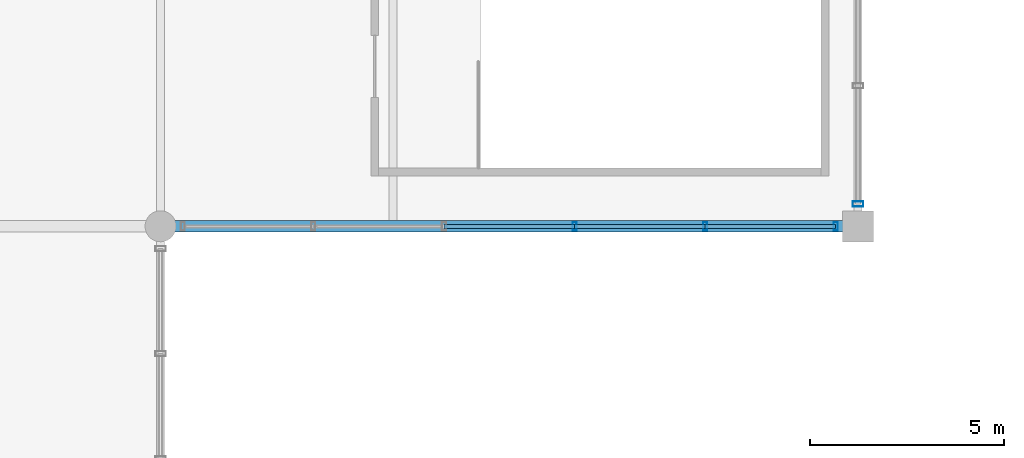
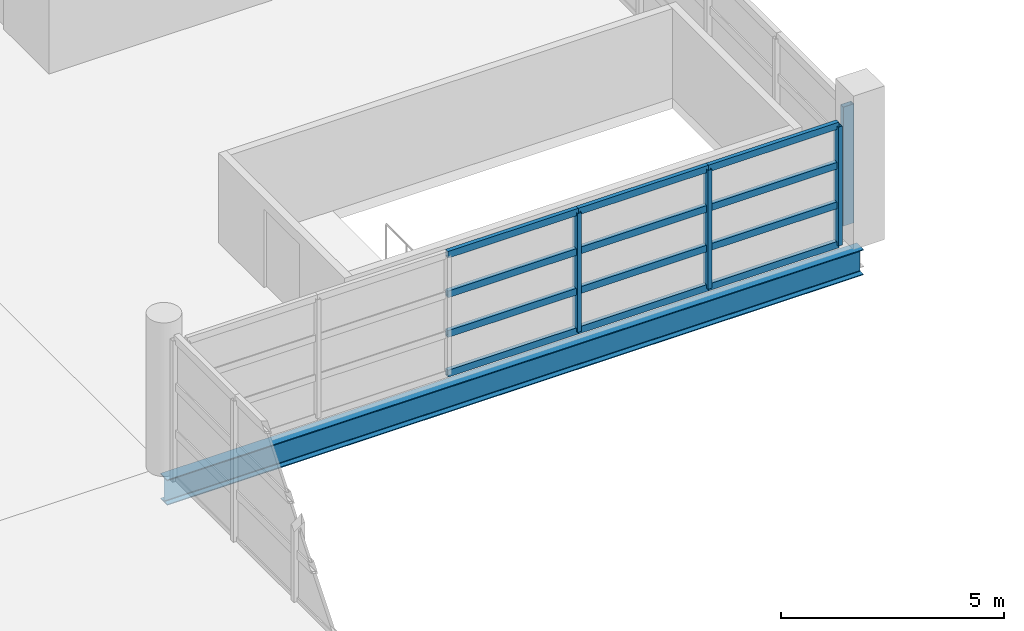
# One storey, part 22 of 136: 16 members, 1 beam, 2 elements without a shape of their own.
"""IFC4 building model written with IfcOpenShell, lengths in metres."""

from ifc_helpers import new_model, si_unit, direction, frame, origin, origin_2d, place, context, subcontext, project, spatial, hollow_rectangle, i_section, extrude, material, material_profile, profile_set, type_object, element, aggregate, save


model = new_model("IFC4")

# Units and contexts
model_context = context("Model", 3, precision=1e-05, world=origin(), true_north=direction((0.0, 1.0)))
body_context = subcontext(model_context, "Body", "Model", "MODEL_VIEW")
ifc_project = project(units=[si_unit("LENGTHUNIT", "METRE"), si_unit("AREAUNIT", "SQUARE_METRE"), si_unit("VOLUMEUNIT", "CUBIC_METRE"), si_unit("PLANEANGLEUNIT", "RADIAN"), si_unit("MASSUNIT", "GRAM", prefix="KILO")], contexts=[model_context])

# Site, building, storey
site_placement = place(None, origin())
site = spatial("IfcSite", under=ifc_project, at=site_placement, CompositionType="ELEMENT")
building_placement = place(site_placement, origin())
building = spatial("IfcBuilding", under=site, at=building_placement, Name="Chuanluo Vaults Station", CompositionType="ELEMENT")
storey_placement = place(building_placement, frame((0.0, 0.0, 6.60009765625)))
storey = spatial("IfcBuildingStorey", under=building, at=storey_placement, Name="L01", CompositionType="ELEMENT", Elevation=6.60009765625)

# Beam
ifc_material_1 = material(Name="Steel Q355C", Category="steel")
ifc_material_profile_1 = material_profile(ifc_material_1, i_section(OverallWidth=0.300048828125, OverallDepth=0.699951171875, WebThickness=0.012939453125, FlangeThickness=0.02392578125, FilletRadius=0.02197265625, at=origin_2d()))
ifc_profile_set_1 = profile_set([ifc_material_profile_1], Name="Steel Q355C")
beam_type = type_object("IfcBeamType", Name="BM-GRD-700", PredefinedType="USERDEFINED", material=ifc_profile_set_1)
beam_placement = place(storey_placement, frame((90.0, 54.0, -0.630126953125), z_axis=(1.0, 0.0, 0.0), x_axis=(0.0, 1.0, 0.0)))
element("IfcBeam", 1, at=beam_placement, inside=storey, type_object=beam_type, Name="Floor girder BM:GX:L01:0327", ObjectType="GIRDER", PredefinedType="USERDEFINED", context=body_context, shape_type="SweptSolid", body=[
    extrude(i_section(OverallWidth=0.300048828125, OverallDepth=0.699951171875, WebThickness=0.012939453125, FlangeThickness=0.02392578125, FilletRadius=0.02197265625, at=origin_2d()), origin(), (0.0, 0.0, 1.0), 18.0),
])

# Curtain wall, members
ifc_material_2 = material(Name="Anodised aluminium 6063-T6", Category="aluminium")
curtain_wall_type_1 = type_object("IfcCurtainWallType", Name="CW-SYS-04", PredefinedType="NOTDEFINED", material=ifc_material_2)
curtain_wall_1_placement = place(storey_placement, origin())
curtain_wall_1 = element("IfcCurtainWall", 2, at=curtain_wall_1_placement, inside=storey, type_object=curtain_wall_type_1, Name="Over-track SE bridge CW", PredefinedType="NOTDEFINED")
ifc_material_3 = material(Name="Anodised aluminium 6063-T6", Category="aluminium")
ifc_material_profile_2 = material_profile(ifc_material_3, hollow_rectangle(XDim=0.10498046875, YDim=0.219970703125, WallThickness=0.006103515625, at=origin_2d()))
ifc_profile_set_2 = profile_set([ifc_material_profile_2], Name="Anodised aluminium 6063-T6")
member_type_1 = type_object("IfcMemberType", Name="CWM-140", PredefinedType="MULLION", material=ifc_profile_set_2)
member_1_placement = place(storey_placement, frame((107.425048828125, 54.0, 0.0), z_axis=(0.0, 0.0, 1.0), x_axis=(-1.0, 0.0, 0.0)))
member_1 = element("IfcMember", 3, at=member_1_placement, type_object=member_type_1, Name="Over-track SE bridge CW mullion 1", PredefinedType="MULLION", context=body_context, shape_type="SweptSolid", body=[
    extrude(hollow_rectangle(XDim=0.10498046875, YDim=0.219970703125, WallThickness=0.006103515625, at=origin_2d()), origin(), (0.0, 0.0, 1.0), 3.25),
])
member_2_placement = place(storey_placement, frame((104.054931640625, 54.0, 0.0), z_axis=(0.0, 0.0, 1.0), x_axis=(-1.0, 0.0, 0.0)))
member_2 = element("IfcMember", 4, at=member_2_placement, type_object=member_type_1, Name="Over-track SE bridge CW mullion 2", PredefinedType="MULLION", context=body_context, shape_type="SweptSolid", body=[
    extrude(hollow_rectangle(XDim=0.10498046875, YDim=0.219970703125, WallThickness=0.006103515625, at=origin_2d()), origin(), (0.0, 0.0, 1.0), 3.25),
])
member_3_placement = place(storey_placement, frame((100.68505859375, 54.0, 0.0), z_axis=(0.0, 0.0, 1.0), x_axis=(-1.0, 0.0, 0.0)))
member_3 = element("IfcMember", 5, at=member_3_placement, type_object=member_type_1, Name="Over-track SE bridge CW mullion 3", PredefinedType="MULLION", context=body_context, shape_type="SweptSolid", body=[
    extrude(hollow_rectangle(XDim=0.10498046875, YDim=0.219970703125, WallThickness=0.006103515625, at=origin_2d()), origin(), (0.0, 0.0, 1.0), 3.25),
])

# Curtain wall, member
ifc_material_4 = material(Name="Anodised aluminium 6063-T6", Category="aluminium")
curtain_wall_type_2 = type_object("IfcCurtainWallType", Name="CW-SYS-22", PredefinedType="NOTDEFINED", material=ifc_material_4)
curtain_wall_2_placement = place(storey_placement, origin())
curtain_wall_2 = element("IfcCurtainWall", 6, at=curtain_wall_2_placement, inside=storey, type_object=curtain_wall_type_2, Name="Over-track east hall CW 54", PredefinedType="NOTDEFINED")
ifc_material_5 = material(Name="Anodised aluminium 6063-T6", Category="aluminium")
ifc_material_profile_3 = material_profile(ifc_material_5, hollow_rectangle(XDim=0.1298828125, YDim=0.280029296875, WallThickness=0.007080078125, at=origin_2d()))
ifc_profile_set_3 = profile_set([ifc_material_profile_3], Name="Anodised aluminium 6063-T6")
member_type_2 = type_object("IfcMemberType", Name="CWM-180", PredefinedType="MULLION", material=ifc_profile_set_3)
member_4_placement = place(storey_placement, frame((108.0, 54.574951171875, 0.0), z_axis=(0.0, 0.0, 1.0), x_axis=(0.0, -1.0, 0.0)))
member_4 = element("IfcMember", 7, at=member_4_placement, type_object=member_type_2, Name="Over-track east hall CW 54 mullion 5", PredefinedType="MULLION", context=body_context, shape_type="SweptSolid", body=[
    extrude(hollow_rectangle(XDim=0.1298828125, YDim=0.280029296875, WallThickness=0.007080078125, at=origin_2d()), origin(), (0.0, 0.0, 1.0), 3.25),
])
aggregate(curtain_wall_2, [member_4])

# Member
ifc_material_6 = material(Name="Anodised aluminium 6063-T6", Category="aluminium")
ifc_material_profile_4 = material_profile(ifc_material_6, hollow_rectangle(XDim=0.10498046875, YDim=0.18505859375, WallThickness=0.0048828125, at=origin_2d()))
ifc_profile_set_4 = profile_set([ifc_material_profile_4], Name="Anodised aluminium 6063-T6")
member_type_3 = type_object("IfcMemberType", Name="CWT-110", PredefinedType="USERDEFINED", material=ifc_profile_set_4)
member_5_placement = place(storey_placement, frame((107.425048828125, 54.0, 0.0), z_axis=(-1.0, 0.0, 0.0), x_axis=(0.0, -1.0, 0.0)))
member_5 = element("IfcMember", 8, at=member_5_placement, type_object=member_type_3, Name="Over-track SE bridge CW transom 1.1", ObjectType="TRANSOM", PredefinedType="USERDEFINED", context=body_context, shape_type="SweptSolid", body=[
    extrude(hollow_rectangle(XDim=0.10498046875, YDim=0.18505859375, WallThickness=0.0048828125, at=origin_2d()), origin(), (0.0, 0.0, 1.0), 3.3701171875),
])

member_6_placement = place(storey_placement, frame((107.425048828125, 54.0, 1.083251953125), z_axis=(-1.0, 0.0, 0.0), x_axis=(0.0, -1.0, 0.0)))
member_6 = element("IfcMember", 9, at=member_6_placement, type_object=member_type_3, Name="Over-track SE bridge CW transom 1.2", ObjectType="TRANSOM", PredefinedType="USERDEFINED", context=body_context, shape_type="SweptSolid", body=[
    extrude(hollow_rectangle(XDim=0.10498046875, YDim=0.18505859375, WallThickness=0.0048828125, at=origin_2d()), origin(), (0.0, 0.0, 1.0), 3.3701171875),
])

member_7_placement = place(storey_placement, frame((107.425048828125, 54.0, 2.16650390625), z_axis=(-1.0, 0.0, 0.0), x_axis=(0.0, -1.0, 0.0)))
member_7 = element("IfcMember", 10, at=member_7_placement, type_object=member_type_3, Name="Over-track SE bridge CW transom 1.3", ObjectType="TRANSOM", PredefinedType="USERDEFINED", context=body_context, shape_type="SweptSolid", body=[
    extrude(hollow_rectangle(XDim=0.10498046875, YDim=0.18505859375, WallThickness=0.0048828125, at=origin_2d()), origin(), (0.0, 0.0, 1.0), 3.3701171875),
])

member_8_placement = place(storey_placement, frame((107.425048828125, 54.0, 3.25), z_axis=(-1.0, 0.0, 0.0), x_axis=(0.0, -1.0, 0.0)))
member_8 = element("IfcMember", 11, at=member_8_placement, type_object=member_type_3, Name="Over-track SE bridge CW transom 1.4", ObjectType="TRANSOM", PredefinedType="USERDEFINED", context=body_context, shape_type="SweptSolid", body=[
    extrude(hollow_rectangle(XDim=0.10498046875, YDim=0.18505859375, WallThickness=0.0048828125, at=origin_2d()), origin(), (0.0, 0.0, 1.0), 3.3701171875),
])

member_9_placement = place(storey_placement, frame((104.054931640625, 54.0, 0.0), z_axis=(-1.0, 0.0, 0.0), x_axis=(0.0, -1.0, 0.0)))
member_9 = element("IfcMember", 12, at=member_9_placement, type_object=member_type_3, Name="Over-track SE bridge CW transom 2.1", ObjectType="TRANSOM", PredefinedType="USERDEFINED", context=body_context, shape_type="SweptSolid", body=[
    extrude(hollow_rectangle(XDim=0.10498046875, YDim=0.18505859375, WallThickness=0.0048828125, at=origin_2d()), origin(), (0.0, 0.0, 1.0), 3.369873046875),
])

member_10_placement = place(storey_placement, frame((104.054931640625, 54.0, 1.083251953125), z_axis=(-1.0, 0.0, 0.0), x_axis=(0.0, -1.0, 0.0)))
member_10 = element("IfcMember", 13, at=member_10_placement, type_object=member_type_3, Name="Over-track SE bridge CW transom 2.2", ObjectType="TRANSOM", PredefinedType="USERDEFINED", context=body_context, shape_type="SweptSolid", body=[
    extrude(hollow_rectangle(XDim=0.10498046875, YDim=0.18505859375, WallThickness=0.0048828125, at=origin_2d()), origin(), (0.0, 0.0, 1.0), 3.369873046875),
])

member_11_placement = place(storey_placement, frame((104.054931640625, 54.0, 2.16650390625), z_axis=(-1.0, 0.0, 0.0), x_axis=(0.0, -1.0, 0.0)))
member_11 = element("IfcMember", 14, at=member_11_placement, type_object=member_type_3, Name="Over-track SE bridge CW transom 2.3", ObjectType="TRANSOM", PredefinedType="USERDEFINED", context=body_context, shape_type="SweptSolid", body=[
    extrude(hollow_rectangle(XDim=0.10498046875, YDim=0.18505859375, WallThickness=0.0048828125, at=origin_2d()), origin(), (0.0, 0.0, 1.0), 3.369873046875),
])

member_12_placement = place(storey_placement, frame((104.054931640625, 54.0, 3.25), z_axis=(-1.0, 0.0, 0.0), x_axis=(0.0, -1.0, 0.0)))
member_12 = element("IfcMember", 15, at=member_12_placement, type_object=member_type_3, Name="Over-track SE bridge CW transom 2.4", ObjectType="TRANSOM", PredefinedType="USERDEFINED", context=body_context, shape_type="SweptSolid", body=[
    extrude(hollow_rectangle(XDim=0.10498046875, YDim=0.18505859375, WallThickness=0.0048828125, at=origin_2d()), origin(), (0.0, 0.0, 1.0), 3.369873046875),
])

member_13_placement = place(storey_placement, frame((100.68505859375, 54.0, 0.0), z_axis=(-1.0, 0.0, 0.0), x_axis=(0.0, -1.0, 0.0)))
member_13 = element("IfcMember", 16, at=member_13_placement, type_object=member_type_3, Name="Over-track SE bridge CW transom 3.1", ObjectType="TRANSOM", PredefinedType="USERDEFINED", context=body_context, shape_type="SweptSolid", body=[
    extrude(hollow_rectangle(XDim=0.10498046875, YDim=0.18505859375, WallThickness=0.0048828125, at=origin_2d()), origin(), (0.0, 0.0, 1.0), 3.3701171875),
])

member_14_placement = place(storey_placement, frame((100.68505859375, 54.0, 1.083251953125), z_axis=(-1.0, 0.0, 0.0), x_axis=(0.0, -1.0, 0.0)))
member_14 = element("IfcMember", 17, at=member_14_placement, type_object=member_type_3, Name="Over-track SE bridge CW transom 3.2", ObjectType="TRANSOM", PredefinedType="USERDEFINED", context=body_context, shape_type="SweptSolid", body=[
    extrude(hollow_rectangle(XDim=0.10498046875, YDim=0.18505859375, WallThickness=0.0048828125, at=origin_2d()), origin(), (0.0, 0.0, 1.0), 3.3701171875),
])

member_15_placement = place(storey_placement, frame((100.68505859375, 54.0, 2.16650390625), z_axis=(-1.0, 0.0, 0.0), x_axis=(0.0, -1.0, 0.0)))
member_15 = element("IfcMember", 18, at=member_15_placement, type_object=member_type_3, Name="Over-track SE bridge CW transom 3.3", ObjectType="TRANSOM", PredefinedType="USERDEFINED", context=body_context, shape_type="SweptSolid", body=[
    extrude(hollow_rectangle(XDim=0.10498046875, YDim=0.18505859375, WallThickness=0.0048828125, at=origin_2d()), origin(), (0.0, 0.0, 1.0), 3.3701171875),
])

member_16_placement = place(storey_placement, frame((100.68505859375, 54.0, 3.25), z_axis=(-1.0, 0.0, 0.0), x_axis=(0.0, -1.0, 0.0)))
member_16 = element("IfcMember", 19, at=member_16_placement, type_object=member_type_3, Name="Over-track SE bridge CW transom 3.4", ObjectType="TRANSOM", PredefinedType="USERDEFINED", context=body_context, shape_type="SweptSolid", body=[
    extrude(hollow_rectangle(XDim=0.10498046875, YDim=0.18505859375, WallThickness=0.0048828125, at=origin_2d()), origin(), (0.0, 0.0, 1.0), 3.3701171875),
])

aggregate(curtain_wall_1, [member_1, member_2, member_3, member_5, member_6, member_7, member_8, member_9, member_10, member_11, member_12, member_13, member_14, member_15, member_16])

save(model, "model.ifc")
